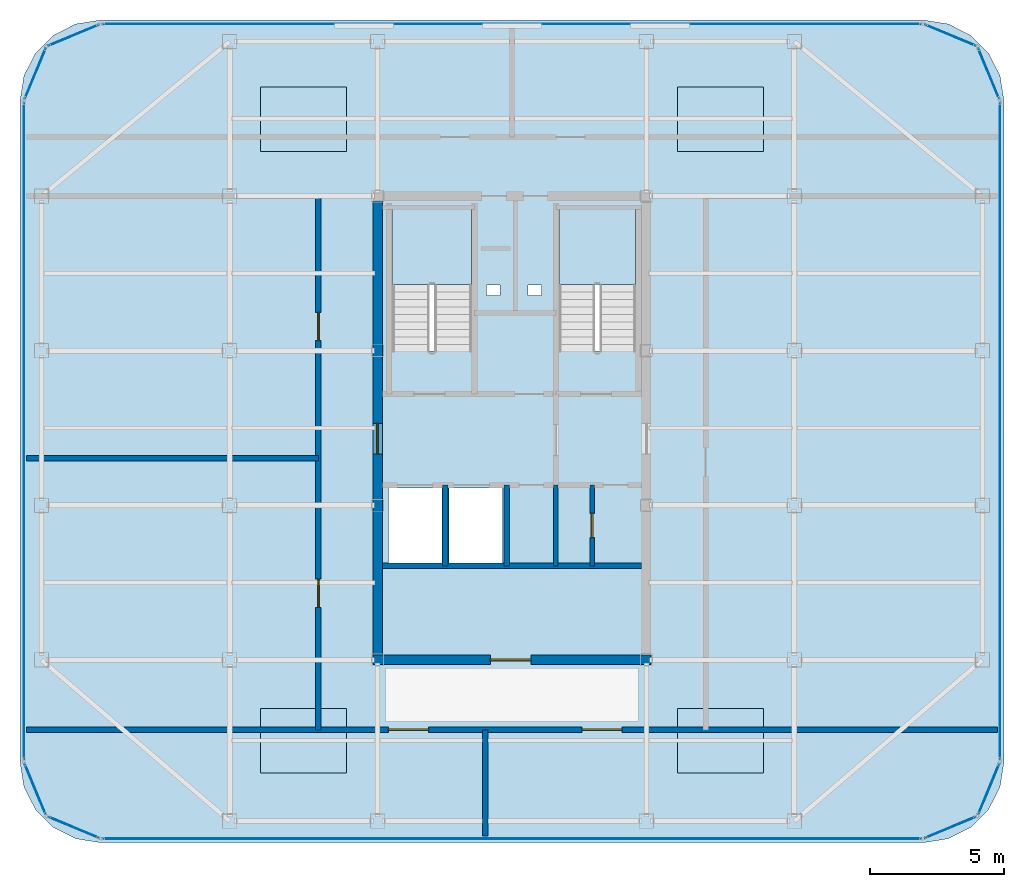
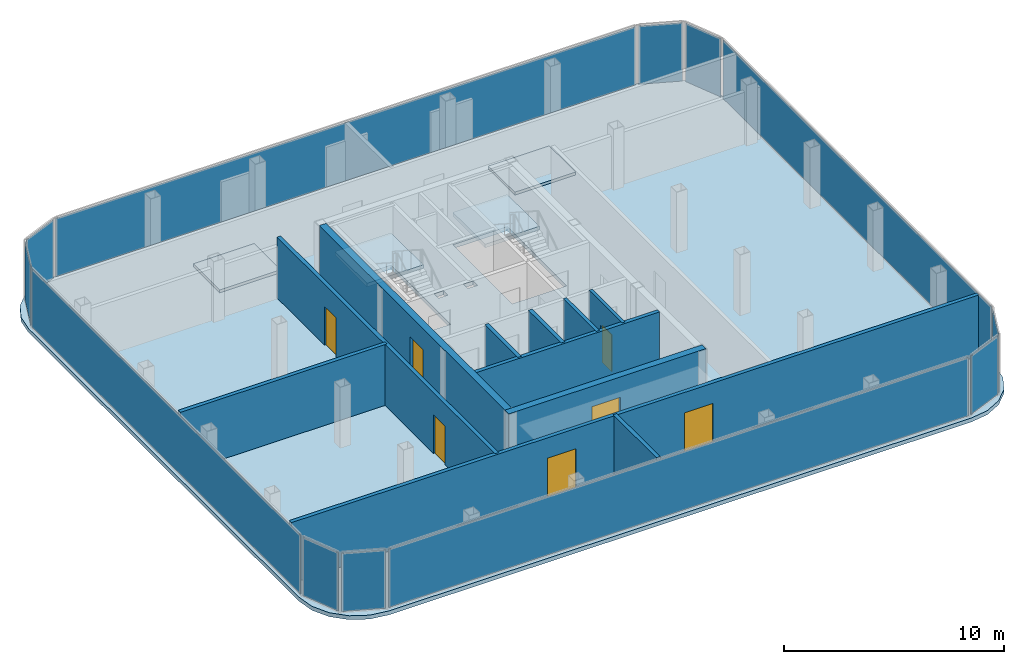
# One storey, part 9 of 11: 12 plates, 11 walls, 7 doors, 7 slabs, 7 openings, 14 elements without a shape of their own.
"""IFC4 building model written with IfcOpenShell, lengths in metres."""

from ifc_helpers import new_model, si_unit, direction, frame, frame_2d, origin, origin_2d, place, context, subcontext, project, spatial, polyline, rectangle, outline, extrude, source, transform, mapped, material, layer, layer_set, type_object, element, fill, aggregate, save


model = new_model("IFC4")

# Units and contexts
model_context = context("Model", 3, precision=1e-05, world=origin(), true_north=direction((0.0, 1.0)))
body_context = subcontext(model_context, "Body", "Model", "MODEL_VIEW")
ifc_project = project(units=[si_unit("LENGTHUNIT", "METRE"), si_unit("AREAUNIT", "SQUARE_METRE"), si_unit("VOLUMEUNIT", "CUBIC_METRE"), si_unit("PLANEANGLEUNIT", "RADIAN"), si_unit("MASSUNIT", "GRAM", prefix="KILO")], contexts=[model_context])

# Site, building, storey
site_placement = place(None, origin())
site = spatial("IfcSite", under=ifc_project, at=site_placement, CompositionType="ELEMENT")
building_placement = place(site_placement, origin())
building = spatial("IfcBuilding", under=site, at=building_placement, Name="Kolveth Station Tower", CompositionType="ELEMENT")
storey_placement = place(building_placement, frame((0.0, 0.0, 274.89990234375)))
storey = spatial("IfcBuildingStorey", under=building, at=storey_placement, Name="L79", CompositionType="ELEMENT", Elevation=274.89990234375)

# Slab
ifc_material_1 = material(Name="Concrete C40/50", Category="concrete")
ifc_layer_1 = layer(ifc_material_1, 0.219970703125)
ifc_layer_set_1 = layer_set([ifc_layer_1], Name="Concrete C40/50")
slab_type_1 = type_object("IfcSlabType", Name="Slab_SF-220", PredefinedType="FLOOR", material=ifc_layer_set_1)
slab_1_placement = place(storey_placement, frame((0.0, 0.0, -0.219970703125)))
element("IfcSlab", 1, at=slab_1_placement, inside=storey, type_object=slab_type_1, Name="L79 Tower Structural Floor Slab", PredefinedType="FLOOR", context=body_context, shape_type="SweptSolid", body=[
    extrude(outline(polyline([(38.800048828125, 4.699951171875), (39.72705078125, 4.8466796875), (40.5634765625, 5.27294921875), (41.22705078125, 5.9365234375), (41.6533203125, 6.77294921875), (41.800048828125, 7.699951171875), (41.800048828125, 32.300048828125), (41.6533203125, 33.22705078125), (41.22705078125, 34.0634765625), (40.5634765625, 34.72705078125), (39.72705078125, 35.1533203125), (38.800048828125, 35.300048828125), (8.199951171875, 35.300048828125), (7.27294921875, 35.1533203125), (6.4365234375, 34.72705078125), (5.77294921875, 34.0634765625), (5.3466796875, 33.22705078125), (5.199951171875, 32.300048828125), (5.199951171875, 7.699951171875), (5.3466796875, 6.77294921875), (5.77294921875, 5.9365234375), (6.4365234375, 5.27294921875), (7.27294921875, 4.8466796875), (8.199951171875, 4.699951171875), (38.800048828125, 4.699951171875)]), holes=[polyline([(19.0400390625, 22.985107421875), (22.0, 22.985107421875), (22.0, 28.39990234375), (19.0400390625, 28.39990234375), (19.0400390625, 22.985107421875)]), polyline([(25.239990234375, 22.985107421875), (28.10009765625, 22.985107421875), (28.10009765625, 28.39990234375), (25.239990234375, 28.39990234375), (25.239990234375, 22.985107421875)]), polyline([(18.89990234375, 15.10009765625), (20.89990234375, 15.10009765625), (20.89990234375, 17.89990234375), (18.89990234375, 17.89990234375), (18.89990234375, 15.10009765625)]), polyline([(21.14990234375, 15.10009765625), (23.14990234375, 15.10009765625), (23.14990234375, 17.89990234375), (21.14990234375, 17.89990234375), (21.14990234375, 15.10009765625)]), polyline([(22.550048828125, 25.050048828125), (23.050048828125, 25.050048828125), (23.050048828125, 25.449951171875), (22.550048828125, 25.449951171875), (22.550048828125, 25.050048828125)]), polyline([(24.10009765625, 25.050048828125), (24.60009765625, 25.050048828125), (24.60009765625, 25.449951171875), (24.10009765625, 25.449951171875), (24.10009765625, 25.050048828125)])]), origin(), (0.0, 0.0, 1.0), 0.219970703125),
])

# Stair, slab
stair_type_1 = type_object("IfcStairType", Name="Stair_ST2", PredefinedType="HALF_TURN_STAIR", material=ifc_material_1)
stair_1_placement = place(storey_placement, origin())
stair_1 = element("IfcStair", 2, at=stair_1_placement, inside=storey, type_object=stair_type_1, Name="L79 Tower Exit Stair ST2", PredefinedType="HALF_TURN_STAIR")
ifc_layer_2 = layer(ifc_material_1, 0.18994140625)
ifc_layer_set_2 = layer_set([ifc_layer_2], Name="Concrete C40/50")
slab_type_2 = type_object("IfcSlabType", Name="Slab_SL-190", PredefinedType="LANDING", material=ifc_layer_set_2)
slab_2_placement = place(storey_placement, frame((0.0, 0.0, 1.60009765625)))
slab_2 = element("IfcSlab", 3, at=slab_2_placement, type_object=slab_type_2, Name="ST2 landing 1", PredefinedType="LANDING", context=body_context, shape_type="SweptSolid", body=[
    extrude(outline(polyline([(28.10009765625, 25.469970703125), (28.10009765625, 28.39990234375), (25.239990234375, 28.39990234375), (25.239990234375, 25.469970703125), (28.10009765625, 25.469970703125)])), origin(), (0.0, 0.0, 1.0), 0.199951171875),
])
aggregate(stair_1, [slab_2])

stair_type_2 = type_object("IfcStairType", Name="Stair_ST1", PredefinedType="HALF_TURN_STAIR", material=ifc_material_1)
stair_2_placement = place(storey_placement, origin())
stair_2 = element("IfcStair", 4, at=stair_2_placement, inside=storey, type_object=stair_type_2, Name="L79 Tower Exit Stair ST1", PredefinedType="HALF_TURN_STAIR")
ifc_layer_3 = layer(ifc_material_1, 0.205078125)
ifc_layer_set_3 = layer_set([ifc_layer_3], Name="Concrete C40/50")
slab_type_3 = type_object("IfcSlabType", Name="Slab_SL-205", PredefinedType="LANDING", material=ifc_layer_set_3)
slab_3_placement = place(storey_placement, frame((0.0, 0.0, 1.60009765625)))
slab_3 = element("IfcSlab", 5, at=slab_3_placement, type_object=slab_type_3, Name="ST1 landing 1", PredefinedType="LANDING", context=body_context, shape_type="SweptSolid", body=[
    extrude(outline(polyline([(22.0, 25.469970703125), (22.0, 28.39990234375), (19.0400390625, 28.39990234375), (19.0400390625, 25.469970703125), (22.0, 25.469970703125)])), origin(), (0.0, 0.0, 1.0), 0.199951171875),
])
aggregate(stair_2, [slab_3])

# Slabs
ifc_layer_4 = layer(ifc_material_1, 0.159912109375)
ifc_layer_set_4 = layer_set([ifc_layer_4], Name="Concrete C40/50")
slab_type_4 = type_object("IfcSlabType", Name="Slab_PL-160", PredefinedType="FLOOR", material=ifc_layer_set_4)
shared_shape_1 = source(origin(), body_context, "Body", "SweptSolid", [
    extrude(rectangle(XDim=3.199951171875, YDim=2.39990234375, at=origin_2d()), origin(), (0.0, 0.0, 1.0), 0.159912109375),
])
for number, where, z_axis, x_axis, name in (
    (6, (15.75, 8.5, 0.0), (0.0, 0.0, 1.0), (1.0, 0.0, 0.0), "L79 High-Altitude Plant Plinth 1"),
    (7, (31.25, 8.5, 0.0), (0.0, 0.0, 1.0), (1.0, 0.0, 0.0), "L79 High-Altitude Plant Plinth 2"),
    (8, (15.75, 31.60009765625, 0.0), (0.0, 0.0, 1.0), (1.0, 0.0, 0.0), "L79 High-Altitude Plant Plinth 3"),
    (9, (31.25, 31.60009765625, 0.0), (0.0, 0.0, 1.0), (1.0, 0.0, 0.0), "L79 High-Altitude Plant Plinth 4"),
):
    element("IfcSlab", number, at=place(storey_placement, frame(where, z_axis=z_axis, x_axis=x_axis)), inside=storey, type_object=slab_type_4, Name=name, PredefinedType="FLOOR", context=body_context, shape_type="MappedRepresentation", body=[
        mapped(shared_shape_1, transform((0.0, 0.0, 0.0), x_axis=(1.0, 0.0, 0.0), y_axis=(0.0, 1.0, 0.0), z_axis=(0.0, 0.0, 1.0), scale=1.0)),
    ])

# Curtain wall, plate
ifc_material_2 = material(Name="Black anodized aluminium 6063-T6 and dark crown glass", Category="aluminium")
ifc_layer_5 = layer(ifc_material_2, 0.169921875)
ifc_layer_set_5 = layer_set([ifc_layer_5], Name="Black anodized aluminium 6063-T6 and dark crown glass")
curtain_wall_type = type_object("IfcCurtainWallType", Name="CurtainWall_CW-CR", PredefinedType="NOTDEFINED", material=ifc_layer_set_5)
curtain_wall_1_placement = place(storey_placement, origin())
curtain_wall_1 = element("IfcCurtainWall", 10, at=curtain_wall_1_placement, inside=storey, type_object=curtain_wall_type, Name="L79 Stepped Crown Curtain Wall 1", PredefinedType="NOTDEFINED")
ifc_material_3 = material(Name="Architectural low-E dark glass", Category="glass")
ifc_layer_6 = layer(ifc_material_3, 0.033935546875)
ifc_layer_set_6 = layer_set([ifc_layer_6], Name="Architectural low-E dark glass")
plate_type = type_object("IfcPlateType", Name="Panel_GL-CR", PredefinedType="CURTAIN_PANEL", material=ifc_layer_set_6)
shared_shape_2 = source(origin(), body_context, "Body", "SweptSolid", [
    extrude(rectangle(XDim=2.025390625, YDim=0.033935546875, at=origin_2d()), origin(), (0.0, 0.0, 1.0), 3.23388671875),
])
plate_1_placement = place(storey_placement, frame((39.8076171875, 5.267333984375, 0.0732421875), z_axis=(0.0, 0.0, 1.0), x_axis=(0.923890001426, 0.382658157192, 0.0)))
plate_1 = element("IfcPlate", 11, at=plate_1_placement, type_object=plate_type, Name="CW-CR panel 1.1", PredefinedType="CURTAIN_PANEL", context=body_context, shape_type="MappedRepresentation", body=[
    mapped(shared_shape_2, transform((0.0, 0.0, 0.0), x_axis=(1.0, 0.0, 0.0), y_axis=(0.0, 1.0, 0.0), z_axis=(0.0, 0.0, 1.0), scale=1.0)),
])
aggregate(curtain_wall_1, [plate_1])

curtain_wall_2_placement = place(storey_placement, origin())
curtain_wall_2 = element("IfcCurtainWall", 12, at=curtain_wall_2_placement, inside=storey, type_object=curtain_wall_type, Name="L79 Stepped Crown Curtain Wall 2", PredefinedType="NOTDEFINED")
plate_2_placement = place(storey_placement, frame((41.232666015625, 6.6923828125, 0.0732421875), z_axis=(0.0, 0.0, 1.0), x_axis=(0.382658157192, 0.923890001426, 0.0)))
plate_2 = element("IfcPlate", 13, at=plate_2_placement, type_object=plate_type, Name="CW-CR panel 1.1", PredefinedType="CURTAIN_PANEL", context=body_context, shape_type="MappedRepresentation", body=[
    mapped(shared_shape_2, transform((0.0, 0.0, 0.0), x_axis=(1.0, 0.0, 0.0), y_axis=(0.0, 1.0, 0.0), z_axis=(0.0, 0.0, 1.0), scale=1.0)),
])
aggregate(curtain_wall_2, [plate_2])

curtain_wall_3_placement = place(storey_placement, origin())
curtain_wall_3 = element("IfcCurtainWall", 14, at=curtain_wall_3_placement, inside=storey, type_object=curtain_wall_type, Name="L79 Stepped Crown Curtain Wall 4", PredefinedType="NOTDEFINED")
plate_3_placement = place(storey_placement, frame((41.232666015625, 33.3076171875, 0.0732421875), z_axis=(0.0, 0.0, 1.0), x_axis=(-0.382658157192, 0.923890001426, 0.0)))
plate_3 = element("IfcPlate", 15, at=plate_3_placement, type_object=plate_type, Name="CW-CR panel 1.1", PredefinedType="CURTAIN_PANEL", context=body_context, shape_type="MappedRepresentation", body=[
    mapped(shared_shape_2, transform((0.0, 0.0, 0.0), x_axis=(1.0, 0.0, 0.0), y_axis=(0.0, 1.0, 0.0), z_axis=(0.0, 0.0, 1.0), scale=1.0)),
])
aggregate(curtain_wall_3, [plate_3])

curtain_wall_4_placement = place(storey_placement, origin())
curtain_wall_4 = element("IfcCurtainWall", 16, at=curtain_wall_4_placement, inside=storey, type_object=curtain_wall_type, Name="L79 Stepped Crown Curtain Wall 5", PredefinedType="NOTDEFINED")
plate_4_placement = place(storey_placement, frame((39.8076171875, 34.732666015625, 0.0732421875), z_axis=(0.0, 0.0, 1.0), x_axis=(-0.923890001426, 0.382658157192, 0.0)))
plate_4 = element("IfcPlate", 17, at=plate_4_placement, type_object=plate_type, Name="CW-CR panel 1.1", PredefinedType="CURTAIN_PANEL", context=body_context, shape_type="MappedRepresentation", body=[
    mapped(shared_shape_2, transform((0.0, 0.0, 0.0), x_axis=(1.0, 0.0, 0.0), y_axis=(0.0, 1.0, 0.0), z_axis=(0.0, 0.0, 1.0), scale=1.0)),
])
aggregate(curtain_wall_4, [plate_4])

curtain_wall_5_placement = place(storey_placement, origin())
curtain_wall_5 = element("IfcCurtainWall", 18, at=curtain_wall_5_placement, inside=storey, type_object=curtain_wall_type, Name="L79 Stepped Crown Curtain Wall 7", PredefinedType="NOTDEFINED")
plate_5_placement = place(storey_placement, frame((7.1923828125, 34.732666015625, 0.0732421875), z_axis=(0.0, 0.0, 1.0), x_axis=(-0.923890001426, -0.382658157192, 0.0)))
plate_5 = element("IfcPlate", 19, at=plate_5_placement, type_object=plate_type, Name="CW-CR panel 1.1", PredefinedType="CURTAIN_PANEL", context=body_context, shape_type="MappedRepresentation", body=[
    mapped(shared_shape_2, transform((0.0, 0.0, 0.0), x_axis=(1.0, 0.0, 0.0), y_axis=(0.0, 1.0, 0.0), z_axis=(0.0, 0.0, 1.0), scale=1.0)),
])
aggregate(curtain_wall_5, [plate_5])

curtain_wall_6_placement = place(storey_placement, origin())
curtain_wall_6 = element("IfcCurtainWall", 20, at=curtain_wall_6_placement, inside=storey, type_object=curtain_wall_type, Name="L79 Stepped Crown Curtain Wall 8", PredefinedType="NOTDEFINED")
plate_6_placement = place(storey_placement, frame((5.767333984375, 33.3076171875, 0.0732421875), z_axis=(0.0, 0.0, 1.0), x_axis=(-0.382658157192, -0.923890001426, 0.0)))
plate_6 = element("IfcPlate", 21, at=plate_6_placement, type_object=plate_type, Name="CW-CR panel 1.1", PredefinedType="CURTAIN_PANEL", context=body_context, shape_type="MappedRepresentation", body=[
    mapped(shared_shape_2, transform((0.0, 0.0, 0.0), x_axis=(1.0, 0.0, 0.0), y_axis=(0.0, 1.0, 0.0), z_axis=(0.0, 0.0, 1.0), scale=1.0)),
])
aggregate(curtain_wall_6, [plate_6])

curtain_wall_7_placement = place(storey_placement, origin())
curtain_wall_7 = element("IfcCurtainWall", 22, at=curtain_wall_7_placement, inside=storey, type_object=curtain_wall_type, Name="L79 Stepped Crown Curtain Wall 10", PredefinedType="NOTDEFINED")
plate_7_placement = place(storey_placement, frame((5.767333984375, 6.6923828125, 0.0732421875), z_axis=(0.0, 0.0, 1.0), x_axis=(0.382658157192, -0.923890001426, 0.0)))
plate_7 = element("IfcPlate", 23, at=plate_7_placement, type_object=plate_type, Name="CW-CR panel 1.1", PredefinedType="CURTAIN_PANEL", context=body_context, shape_type="MappedRepresentation", body=[
    mapped(shared_shape_2, transform((0.0, 0.0, 0.0), x_axis=(1.0, 0.0, 0.0), y_axis=(0.0, 1.0, 0.0), z_axis=(0.0, 0.0, 1.0), scale=1.0)),
])
aggregate(curtain_wall_7, [plate_7])

curtain_wall_8_placement = place(storey_placement, origin())
curtain_wall_8 = element("IfcCurtainWall", 24, at=curtain_wall_8_placement, inside=storey, type_object=curtain_wall_type, Name="L79 Stepped Crown Curtain Wall 11", PredefinedType="NOTDEFINED")
plate_8_placement = place(storey_placement, frame((7.1923828125, 5.267333984375, 0.0732421875), z_axis=(0.0, 0.0, 1.0), x_axis=(0.923890001426, -0.382658157192, 0.0)))
plate_8 = element("IfcPlate", 25, at=plate_8_placement, type_object=plate_type, Name="CW-CR panel 1.1", PredefinedType="CURTAIN_PANEL", context=body_context, shape_type="MappedRepresentation", body=[
    mapped(shared_shape_2, transform((0.0, 0.0, 0.0), x_axis=(1.0, 0.0, 0.0), y_axis=(0.0, 1.0, 0.0), z_axis=(0.0, 0.0, 1.0), scale=1.0)),
])
aggregate(curtain_wall_8, [plate_8])

curtain_wall_9_placement = place(storey_placement, origin())
curtain_wall_9 = element("IfcCurtainWall", 26, at=curtain_wall_9_placement, inside=storey, type_object=curtain_wall_type, Name="L79 Stepped Crown Curtain Wall 3", PredefinedType="NOTDEFINED")
shared_shape_3 = source(origin(), body_context, "Body", "SweptSolid", [
    extrude(rectangle(XDim=24.444091796875, YDim=0.033935546875, at=origin_2d()), origin(), (0.0, 0.0, 1.0), 3.23388671875),
])
plate_9_placement = place(storey_placement, frame((41.64990234375, 20.0, 0.0732421875), z_axis=(0.0, 0.0, 1.0), x_axis=(0.0, 1.0, 0.0)))
plate_9 = element("IfcPlate", 27, at=plate_9_placement, type_object=plate_type, Name="CW-CR panel 1.1", PredefinedType="CURTAIN_PANEL", context=body_context, shape_type="MappedRepresentation", body=[
    mapped(shared_shape_3, transform((0.0, 0.0, 0.0), x_axis=(1.0, 0.0, 0.0), y_axis=(0.0, 1.0, 0.0), z_axis=(0.0, 0.0, 1.0), scale=1.0)),
])
aggregate(curtain_wall_9, [plate_9])

curtain_wall_10_placement = place(storey_placement, origin())
curtain_wall_10 = element("IfcCurtainWall", 28, at=curtain_wall_10_placement, inside=storey, type_object=curtain_wall_type, Name="L79 Stepped Crown Curtain Wall 9", PredefinedType="NOTDEFINED")
plate_10_placement = place(storey_placement, frame((5.35009765625, 20.0, 0.0732421875), z_axis=(0.0, 0.0, 1.0), x_axis=(0.0, -1.0, 0.0)))
plate_10 = element("IfcPlate", 29, at=plate_10_placement, type_object=plate_type, Name="CW-CR panel 1.1", PredefinedType="CURTAIN_PANEL", context=body_context, shape_type="MappedRepresentation", body=[
    mapped(shared_shape_3, transform((0.0, 0.0, 0.0), x_axis=(1.0, 0.0, 0.0), y_axis=(0.0, 1.0, 0.0), z_axis=(0.0, 0.0, 1.0), scale=1.0)),
])
aggregate(curtain_wall_10, [plate_10])

curtain_wall_11_placement = place(storey_placement, origin())
curtain_wall_11 = element("IfcCurtainWall", 30, at=curtain_wall_11_placement, inside=storey, type_object=curtain_wall_type, Name="L79 Stepped Crown Curtain Wall 6", PredefinedType="NOTDEFINED")
shared_shape_4 = source(origin(), body_context, "Body", "SweptSolid", [
    extrude(rectangle(XDim=30.444091796875, YDim=0.033935546875, at=origin_2d()), origin(), (0.0, 0.0, 1.0), 3.23388671875),
])
plate_11_placement = place(storey_placement, frame((23.5, 35.14990234375, 0.0732421875), z_axis=(0.0, 0.0, 1.0), x_axis=(-1.0, 0.0, 0.0)))
plate_11 = element("IfcPlate", 31, at=plate_11_placement, type_object=plate_type, Name="CW-CR panel 1.1", PredefinedType="CURTAIN_PANEL", context=body_context, shape_type="MappedRepresentation", body=[
    mapped(shared_shape_4, transform((0.0, 0.0, 0.0), x_axis=(1.0, 0.0, 0.0), y_axis=(0.0, 1.0, 0.0), z_axis=(0.0, 0.0, 1.0), scale=1.0)),
])
aggregate(curtain_wall_11, [plate_11])

curtain_wall_12_placement = place(storey_placement, origin())
curtain_wall_12 = element("IfcCurtainWall", 32, at=curtain_wall_12_placement, inside=storey, type_object=curtain_wall_type, Name="L79 Stepped Crown Curtain Wall 12", PredefinedType="NOTDEFINED")
plate_12_placement = place(storey_placement, frame((23.5, 4.85009765625, 0.0732421875), z_axis=(0.0, 0.0, 1.0), x_axis=(1.0, 0.0, 0.0)))
plate_12 = element("IfcPlate", 33, at=plate_12_placement, type_object=plate_type, Name="CW-CR panel 1.1", PredefinedType="CURTAIN_PANEL", context=body_context, shape_type="MappedRepresentation", body=[
    mapped(shared_shape_4, transform((0.0, 0.0, 0.0), x_axis=(1.0, 0.0, 0.0), y_axis=(0.0, 1.0, 0.0), z_axis=(0.0, 0.0, 1.0), scale=1.0)),
])
aggregate(curtain_wall_12, [plate_12])

# Wall, opening, door
ifc_material_4 = material(Name="Concrete C50/60", Category="concrete")
ifc_layer_7 = layer(ifc_material_4, 0.35009765625)
ifc_layer_set_7 = layer_set([ifc_layer_7], Name="Concrete C50/60")
wall_type_1 = type_object("IfcWallType", Name="Wall_CW-350", PredefinedType="SHEAR", material=ifc_layer_set_7)
wall_1_placement = place(storey_placement, frame((18.324951171875, 11.5, 0.0), z_axis=(0.0, 0.0, 1.0), x_axis=(1.0, 0.0, 0.0)))
wall_1 = element("IfcWall", 34, at=wall_1_placement, inside=storey, type_object=wall_type_1, Name="L79 Core RC Shear Wall S", PredefinedType="SHEAR", context=body_context, shape_type="SweptSolid", body=[
    extrude(rectangle(XDim=10.35009765625, YDim=0.35009765625, at=frame_2d((5.175048828125, 0.0))), origin(), (0.0, 0.0, 1.0), 3.380126953125),
])
opening_1_placement = place(wall_1_placement, frame((4.375, 0.0, 0.0)))
opening_1 = element("IfcOpeningElement", 35, at=opening_1_placement, cuts=wall_1, Name="Opening FD4", PredefinedType="OPENING", context=body_context, shape_type="SweptSolid", body=[
    extrude(rectangle(XDim=1.5, YDim=2.25, at=frame_2d((0.75, 1.125))), frame((0.0, 0.18505859375, 0.0), z_axis=(0.0, -1.0, 0.0), x_axis=(1.0, 0.0, 0.0)), (0.0, 0.0, 1.0), 0.3701171875),
])
ifc_material_5 = material(Name="Fire-rated double Steel S355 leaf", Category="steel")
door_type_1 = type_object("IfcDoorType", Name="Door_FD4", OperationType="NOTDEFINED", PredefinedType="DOOR", material=ifc_material_5)
door_1_placement = place(opening_1_placement, frame((1.5, 0.0, 0.0), z_axis=(0.0, 0.0, 1.0), x_axis=(-1.0, 0.0, 0.0)))
door_1 = element("IfcDoor", 36, at=door_1_placement, inside=storey, type_object=door_type_1, Name="L79 Fan Plant Double Door", OperationType="DOUBLE_DOOR_SINGLE_SWING", OverallHeight=2.25, OverallWidth=1.5, PredefinedType="DOOR", context=body_context, shape_type="SweptSolid", body=[
    extrude(rectangle(XDim=1.5, YDim=2.25, at=frame_2d((0.75, 1.125))), frame((0.0, 0.02490234375, 0.0), z_axis=(0.0, -1.0, 0.0), x_axis=(1.0, 0.0, 0.0)), (0.0, 0.0, 1.0), 0.050048828125),
])
fill(opening_1, door_1)

wall_2_placement = place(storey_placement, frame((18.5, 11.675048828125, 0.0), z_axis=(0.0, 0.0, 1.0), x_axis=(0.0, 1.0, 0.0)))
wall_2 = element("IfcWall", 37, at=wall_2_placement, inside=storey, type_object=wall_type_1, Name="L79 Core RC Shear Wall W", PredefinedType="SHEAR", context=body_context, shape_type="SweptSolid", body=[
    extrude(rectangle(XDim=16.89990234375, YDim=0.35009765625, at=frame_2d((8.449951171875, 0.0))), origin(), (0.0, 0.0, 1.0), 3.380126953125),
])
opening_2_placement = place(wall_2_placement, frame((7.47509765625, 0.0, 0.0)))
opening_2 = element("IfcOpeningElement", 38, at=opening_2_placement, cuts=wall_2, Name="Opening FD1", PredefinedType="OPENING", context=body_context, shape_type="SweptSolid", body=[
    extrude(rectangle(XDim=1.14990234375, YDim=2.199951171875, at=frame_2d((0.574951171875, 1.10009765625))), frame((0.0, 0.18505859375, 0.0), z_axis=(0.0, -1.0, 0.0), x_axis=(1.0, 0.0, 0.0)), (0.0, 0.0, 1.0), 0.3701171875),
])
ifc_material_6 = material(Name="Fire-rated Steel S355 leaf and frame", Category="steel")
door_type_2 = type_object("IfcDoorType", Name="Door_FD1", OperationType="NOTDEFINED", PredefinedType="DOOR", material=ifc_material_6)
door_2_placement = place(opening_2_placement, frame((1.14990234375, 0.0, 0.0), z_axis=(0.0, 0.0, 1.0), x_axis=(-1.0, 0.0, 0.0)))
door_2 = element("IfcDoor", 39, at=door_2_placement, inside=storey, type_object=door_type_2, Name="L79 West Corridor to Firefighting Lobby Door", OperationType="SINGLE_SWING_LEFT", OverallHeight=2.199951171875, OverallWidth=1.14990234375, PredefinedType="DOOR", context=body_context, shape_type="SweptSolid", body=[
    extrude(rectangle(XDim=1.14990234375, YDim=2.199951171875, at=frame_2d((0.574951171875, 1.10009765625))), frame((0.0, 0.02490234375, 0.0), z_axis=(0.0, -1.0, 0.0), x_axis=(1.0, 0.0, 0.0)), (0.0, 0.0, 1.0), 0.050048828125),
])
fill(opening_2, door_2)

# Wall
ifc_material_7 = material(Name="Acoustic double-stud gypsum partition")
ifc_layer_8 = layer(ifc_material_7, 0.1650390625)
ifc_layer_set_8 = layer_set([ifc_layer_8], Name="Acoustic double-stud gypsum partition")
wall_type_2 = type_object("IfcWallType", Name="Wall_IW-165", PredefinedType="PARTITIONING", material=ifc_layer_set_8)
wall_3_placement = place(storey_placement, frame((25.1298828125, 15.0, 0.0), z_axis=(0.0, 0.0, 1.0), x_axis=(0.0, 1.0, 0.0)))
element("IfcWall", 40, at=wall_3_placement, inside=storey, type_object=wall_type_2, Name="L79 Partition Wall WL-L79-CB-V3A", PredefinedType="PARTITIONING", context=body_context, shape_type="SweptSolid", body=[
    extrude(rectangle(XDim=3.0, YDim=0.1650390625, at=frame_2d((1.5, 0.0))), origin(), (0.0, 0.0, 1.0), 3.380126953125),
])

# Wall, opening, door
wall_4_placement = place(storey_placement, frame((26.47998046875, 15.0, 0.0), z_axis=(0.0, 0.0, 1.0), x_axis=(0.0, 1.0, 0.0)))
wall_4 = element("IfcWall", 41, at=wall_4_placement, inside=storey, type_object=wall_type_2, Name="L79 Partition Wall WL-L79-CB-V3B", PredefinedType="PARTITIONING", context=body_context, shape_type="SweptSolid", body=[
    extrude(rectangle(XDim=3.0, YDim=0.1650390625, at=frame_2d((1.5, 0.0))), origin(), (0.0, 0.0, 1.0), 3.380126953125),
])
opening_3_placement = place(wall_4_placement, frame((1.050048828125, 0.0, 0.0)))
opening_3 = element("IfcOpeningElement", 42, at=opening_3_placement, cuts=wall_4, Name="Opening RD1", PredefinedType="OPENING", context=body_context, shape_type="SweptSolid", body=[
    extrude(rectangle(XDim=0.89990234375, YDim=2.050048828125, at=frame_2d((0.449951171875, 1.02490234375))), frame((0.0, 0.092529296875, 0.0), z_axis=(0.0, -1.0, 0.0), x_axis=(1.0, 0.0, 0.0)), (0.0, 0.0, 1.0), 0.18505859375),
])
ifc_material_8 = material(Name="Fire-rated Steel S355 riser access leaf", Category="steel")
door_type_3 = type_object("IfcDoorType", Name="Door_RD1", OperationType="NOTDEFINED", PredefinedType="DOOR", material=ifc_material_8)
door_3_placement = place(opening_3_placement, origin())
door_3 = element("IfcDoor", 43, at=door_3_placement, inside=storey, type_object=door_type_3, Name="L79 Core Meter Closet Door", OperationType="SINGLE_SWING_LEFT", OverallHeight=2.050048828125, OverallWidth=0.89990234375, PredefinedType="DOOR", context=body_context, shape_type="SweptSolid", body=[
    extrude(rectangle(XDim=0.89990234375, YDim=2.050048828125, at=frame_2d((0.449951171875, 1.02490234375))), frame((0.0, 0.02490234375, 0.0), z_axis=(0.0, -1.0, 0.0), x_axis=(1.0, 0.0, 0.0)), (0.0, 0.0, 1.0), 0.050048828125),
])
fill(opening_3, door_3)

# Walls
ifc_material_9 = material(Name="Acoustic fire-rated gypsum blockwork", Category="masonry")
ifc_layer_9 = layer(ifc_material_9, 0.199951171875)
ifc_layer_set_9 = layer_set([ifc_layer_9], Name="Acoustic fire-rated gypsum blockwork")
wall_type_3 = type_object("IfcWallType", Name="Wall_IW-200", PredefinedType="PARTITIONING", material=ifc_layer_set_9)
for number, where, z_axis, x_axis, name in (
    (44, (21.02001953125, 15.0, 0.0), (0.0, 0.0, 1.0), (0.0, 1.0, 0.0), "L79 Partition Wall WL-L79-FF12"),
    (45, (23.300048828125, 15.0, 0.0), (0.0, 0.0, 1.0), (0.0, 1.0, 0.0), "L79 Partition Wall WL-L79-FF2E"),
):
    element("IfcWall", number, at=place(storey_placement, frame(where, z_axis=z_axis, x_axis=x_axis)), inside=storey, type_object=wall_type_3, Name=name, PredefinedType="PARTITIONING", context=body_context, shape_type="SweptSolid", body=[
        extrude(rectangle(XDim=3.0, YDim=0.199951171875, at=frame_2d((1.5, 0.0))), origin(), (0.0, 0.0, 1.0), 3.380126953125),
    ])
wall_5_placement = place(storey_placement, frame((18.68505859375, 15.0, 0.0), z_axis=(0.0, 0.0, 1.0), x_axis=(1.0, 0.0, 0.0)))
element("IfcWall", 46, at=wall_5_placement, inside=storey, type_object=wall_type_3, Name="L79 Partition Wall WL-L79-BOH-S", PredefinedType="PARTITIONING", context=body_context, shape_type="SweptSolid", body=[
    extrude(rectangle(XDim=9.6298828125, YDim=0.199951171875, at=frame_2d((4.81494140625, 0.0))), origin(), (0.0, 0.0, 1.0), 3.380126953125),
])

# Wall, openings, doors
wall_6_placement = place(storey_placement, frame((5.449951171875, 8.89990234375, 0.0), z_axis=(0.0, 0.0, 1.0), x_axis=(1.0, 0.0, 0.0)))
wall_6 = element("IfcWall", 47, at=wall_6_placement, inside=storey, type_object=wall_type_3, Name="L79 Partition Wall WL-L79-PR-S", PredefinedType="PARTITIONING", context=body_context, shape_type="SweptSolid", body=[
    extrude(rectangle(XDim=36.10009765625, YDim=0.199951171875, at=frame_2d((18.050048828125, 0.0))), origin(), (0.0, 0.0, 1.0), 3.380126953125),
])
opening_4_placement = place(wall_6_placement, frame((13.449951171875, 0.0, 0.0)))
opening_4 = element("IfcOpeningElement", 48, at=opening_4_placement, cuts=wall_6, Name="Opening FD4", PredefinedType="OPENING", context=body_context, shape_type="SweptSolid", body=[
    extrude(rectangle(XDim=1.5, YDim=2.25, at=frame_2d((0.75, 1.125))), frame((0.0, 0.10986328125, 0.0), z_axis=(0.0, -1.0, 0.0), x_axis=(1.0, 0.0, 0.0)), (0.0, 0.0, 1.0), 0.219970703125),
])
opening_5_placement = place(wall_6_placement, frame((20.64990234375, 0.0, 0.0)))
opening_5 = element("IfcOpeningElement", 49, at=opening_5_placement, cuts=wall_6, Name="Opening FD4", PredefinedType="OPENING", context=body_context, shape_type="SweptSolid", body=[
    extrude(rectangle(XDim=1.5, YDim=2.25, at=frame_2d((0.75, 1.125))), frame((0.0, 0.10986328125, 0.0), z_axis=(0.0, -1.0, 0.0), x_axis=(1.0, 0.0, 0.0)), (0.0, 0.0, 1.0), 0.219970703125),
])
door_4_placement = place(opening_4_placement, frame((1.5, 0.0, 0.0), z_axis=(0.0, 0.0, 1.0), x_axis=(-1.0, 0.0, 0.0)))
door_4 = element("IfcDoor", 50, at=door_4_placement, inside=storey, type_object=door_type_1, Name="L79 High-Altitude Chiller Plant Room Door", OperationType="SINGLE_SWING_LEFT", OverallHeight=2.25, OverallWidth=1.5, PredefinedType="DOOR", context=body_context, shape_type="SweptSolid", body=[
    extrude(rectangle(XDim=1.5, YDim=2.25, at=frame_2d((0.75, 1.125))), frame((0.0, 0.02490234375, 0.0), z_axis=(0.0, -1.0, 0.0), x_axis=(1.0, 0.0, 0.0)), (0.0, 0.0, 1.0), 0.050048828125),
])
fill(opening_4, door_4)
door_5_placement = place(opening_5_placement, frame((1.5, 0.0, 0.0), z_axis=(0.0, 0.0, 1.0), x_axis=(-1.0, 0.0, 0.0)))
door_5 = element("IfcDoor", 51, at=door_5_placement, inside=storey, type_object=door_type_1, Name="L79 Standby Generator Plant Room Door", OperationType="SINGLE_SWING_RIGHT", OverallHeight=2.25, OverallWidth=1.5, PredefinedType="DOOR", context=body_context, shape_type="SweptSolid", body=[
    extrude(rectangle(XDim=1.5, YDim=2.25, at=frame_2d((0.75, 1.125))), frame((0.0, 0.02490234375, 0.0), z_axis=(0.0, -1.0, 0.0), x_axis=(1.0, 0.0, 0.0)), (0.0, 0.0, 1.0), 0.050048828125),
])
fill(opening_5, door_5)

wall_7_placement = place(storey_placement, frame((16.300048828125, 8.89990234375, 0.0), z_axis=(0.0, 0.0, 1.0), x_axis=(0.0, 1.0, 0.0)))
wall_7 = element("IfcWall", 52, at=wall_7_placement, inside=storey, type_object=wall_type_3, Name="L79 Partition Wall WL-L79-PR-W", PredefinedType="PARTITIONING", context=body_context, shape_type="SweptSolid", body=[
    extrude(rectangle(XDim=19.85009765625, YDim=0.199951171875, at=frame_2d((9.925048828125, 0.0))), origin(), (0.0, 0.0, 1.0), 3.380126953125),
])
opening_6_placement = place(wall_7_placement, frame((4.550048828125, 0.0, 0.0)))
opening_6 = element("IfcOpeningElement", 53, at=opening_6_placement, cuts=wall_7, Name="Opening FD2", PredefinedType="OPENING", context=body_context, shape_type="SweptSolid", body=[
    extrude(rectangle(XDim=1.050048828125, YDim=2.14990234375, at=frame_2d((0.52490234375, 1.074951171875))), frame((0.0, 0.10986328125, 0.0), z_axis=(0.0, -1.0, 0.0), x_axis=(1.0, 0.0, 0.0)), (0.0, 0.0, 1.0), 0.219970703125),
])
opening_7_placement = place(wall_7_placement, frame((14.47509765625, 0.0, 0.0)))
opening_7 = element("IfcOpeningElement", 54, at=opening_7_placement, cuts=wall_7, Name="Opening FD2", PredefinedType="OPENING", context=body_context, shape_type="SweptSolid", body=[
    extrude(rectangle(XDim=1.050048828125, YDim=2.14990234375, at=frame_2d((0.52490234375, 1.074951171875))), frame((0.0, 0.10986328125, 0.0), z_axis=(0.0, -1.0, 0.0), x_axis=(1.0, 0.0, 0.0)), (0.0, 0.0, 1.0), 0.219970703125),
])
door_type_4 = type_object("IfcDoorType", Name="Door_FD2", OperationType="NOTDEFINED", PredefinedType="DOOR", material=ifc_material_6)
door_6_placement = place(opening_6_placement, frame((1.050048828125, 0.0, 0.0), z_axis=(0.0, 0.0, 1.0), x_axis=(-1.0, 0.0, 0.0)))
door_6 = element("IfcDoor", 55, at=door_6_placement, inside=storey, type_object=door_type_4, Name="L79 Air Handling Plant Room Door", OperationType="SINGLE_SWING_LEFT", OverallHeight=2.14990234375, OverallWidth=1.050048828125, PredefinedType="DOOR", context=body_context, shape_type="SweptSolid", body=[
    extrude(rectangle(XDim=1.050048828125, YDim=2.14990234375, at=frame_2d((0.52490234375, 1.074951171875))), frame((0.0, 0.02490234375, 0.0), z_axis=(0.0, -1.0, 0.0), x_axis=(1.0, 0.0, 0.0)), (0.0, 0.0, 1.0), 0.050048828125),
])
fill(opening_6, door_6)
door_7_placement = place(opening_7_placement, frame((1.050048828125, 0.0, 0.0), z_axis=(0.0, 0.0, 1.0), x_axis=(-1.0, 0.0, 0.0)))
door_7 = element("IfcDoor", 56, at=door_7_placement, inside=storey, type_object=door_type_4, Name="L79 Heat Recovery Plant Room Door", OperationType="SINGLE_SWING_RIGHT", OverallHeight=2.14990234375, OverallWidth=1.050048828125, PredefinedType="DOOR", context=body_context, shape_type="SweptSolid", body=[
    extrude(rectangle(XDim=1.050048828125, YDim=2.14990234375, at=frame_2d((0.52490234375, 1.074951171875))), frame((0.0, 0.02490234375, 0.0), z_axis=(0.0, -1.0, 0.0), x_axis=(1.0, 0.0, 0.0)), (0.0, 0.0, 1.0), 0.050048828125),
])
fill(opening_7, door_7)

# Walls
wall_8_placement = place(storey_placement, frame((22.5, 4.949951171875, 0.0), z_axis=(0.0, 0.0, 1.0), x_axis=(0.0, 1.0, 0.0)))
element("IfcWall", 57, at=wall_8_placement, inside=storey, type_object=wall_type_3, Name="L79 Partition Wall WL-L79-CS-P1", PredefinedType="PARTITIONING", context=body_context, shape_type="SweptSolid", body=[
    extrude(rectangle(XDim=3.949951171875, YDim=0.199951171875, at=frame_2d((1.97509765625, 0.0))), origin(), (0.0, 0.0, 1.0), 3.380126953125),
])
wall_9_placement = place(storey_placement, frame((5.449951171875, 19.0, 0.0), z_axis=(0.0, 0.0, 1.0), x_axis=(1.0, 0.0, 0.0)))
element("IfcWall", 58, at=wall_9_placement, inside=storey, type_object=wall_type_3, Name="L79 Partition Wall WL-L79-CW-P1", PredefinedType="PARTITIONING", context=body_context, shape_type="SweptSolid", body=[
    extrude(rectangle(XDim=10.85009765625, YDim=0.199951171875, at=frame_2d((5.425048828125, 0.0))), origin(), (0.0, 0.0, 1.0), 3.380126953125),
])

save(model, "model.ifc")
